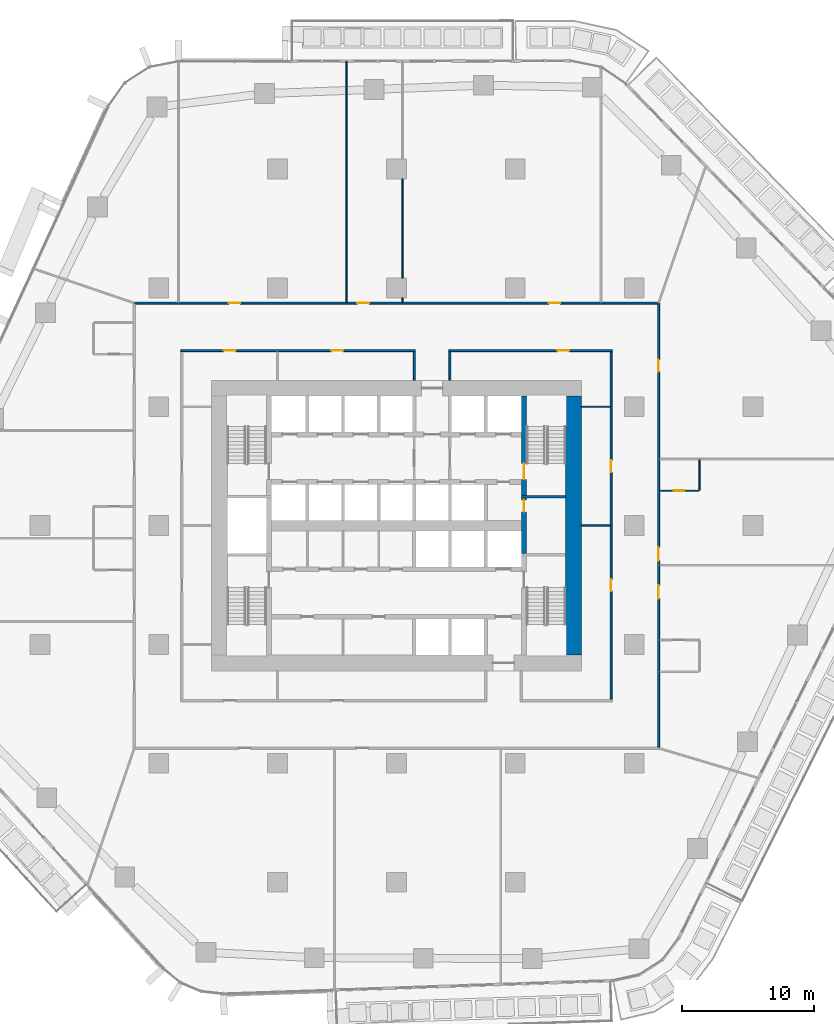
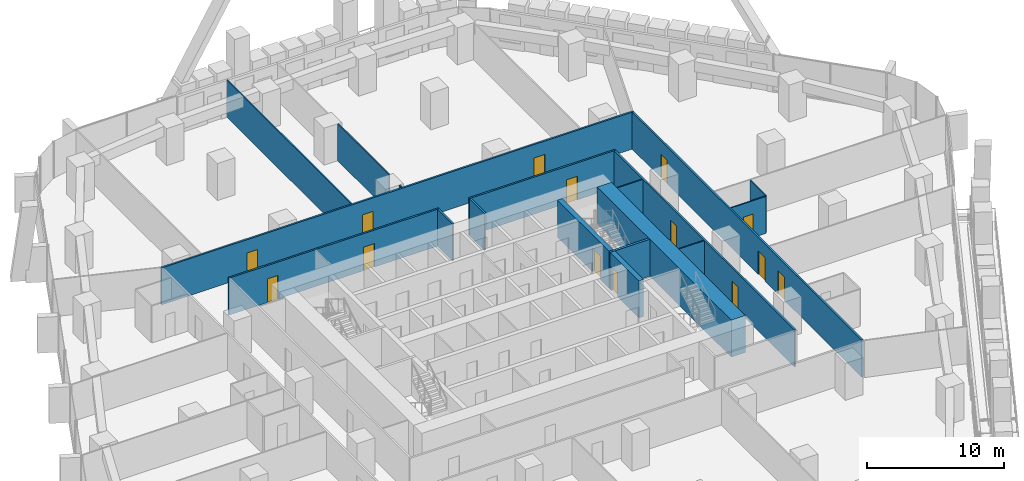
# One storey, part 16 of 26: 18 walls, 14 doors, 14 openings.
"""IFC4 building model written with IfcOpenShell, lengths in metres."""

from ifc_helpers import new_model, si_unit, direction, frame, frame_2d, origin, place, context, subcontext, project, spatial, rectangle, extrude, material, layer, layer_set, type_object, element, fill, save


model = new_model("IFC4")

# Units and contexts
model_context = context("Model", 3, precision=1e-05, world=origin(), true_north=direction((0.0, 1.0)))
body_context = subcontext(model_context, "Body", "Model", "MODEL_VIEW")
ifc_project = project(units=[si_unit("LENGTHUNIT", "METRE"), si_unit("AREAUNIT", "SQUARE_METRE"), si_unit("VOLUMEUNIT", "CUBIC_METRE"), si_unit("PLANEANGLEUNIT", "RADIAN"), si_unit("MASSUNIT", "GRAM", prefix="KILO")], contexts=[model_context])

# Site, building, storey
site_placement = place(None, origin())
site = spatial("IfcSite", under=ifc_project, at=site_placement, CompositionType="ELEMENT")
building_placement = place(site_placement, origin())
building = spatial("IfcBuilding", under=site, at=building_placement, Name="Dongbaek Canopy Tower", CompositionType="ELEMENT")
storey_placement = place(building_placement, frame((0.0, 0.0, 73.60009765625)))
storey = spatial("IfcBuildingStorey", under=building, at=storey_placement, Name="L14", CompositionType="ELEMENT", Elevation=73.60009765625)

# Wall
ifc_material_1 = material(Name="Concrete C60/75", Category="concrete")
ifc_layer_1 = layer(ifc_material_1, 1.199951171875)
ifc_layer_set_1 = layer_set([ifc_layer_1], Name="Core outer wall 1200 Concrete C60/75")
wall_type_1 = type_object("IfcWallType", Name="Core outer wall 1200 Concrete C60/75", PredefinedType="SHEAR", material=ifc_layer_set_1)
wall_1_placement = place(storey_placement, frame((13.39990234375, 9.800048828125, 0.0), z_axis=(0.0, 0.0, 1.0), x_axis=(0.0, -1.0, 0.0)))
element("IfcWall", 1, at=wall_1_placement, inside=storey, type_object=wall_type_1, Name="Core wall", PredefinedType="SHEAR", context=body_context, shape_type="SweptSolid", body=[
    extrude(rectangle(XDim=19.60009765625, YDim=1.199951171875, at=frame_2d((9.800048828125, 0.0))), origin(), (0.0, 0.0, 1.0), 3.2998046875),
])

# Wall, openings, doors
ifc_material_2 = material(Name="Gypsum board partition, steel stud, 2 x 15 mm fire board", Category="steel")
ifc_layer_2 = layer(ifc_material_2, 0.14990234375)
ifc_layer_set_2 = layer_set([ifc_layer_2], Name="Fire-rated partition 150 gypsum board")
wall_type_2 = type_object("IfcWallType", Name="Fire-rated partition 150 gypsum board", PredefinedType="PARTITIONING", material=ifc_layer_set_2)
wall_2_placement = place(storey_placement, frame((1.425048828125, 13.25, 0.0), z_axis=(0.0, 0.0, 1.0), x_axis=(-1.0, 0.0, 0.0)))
wall_2 = element("IfcWall", 2, at=wall_2_placement, inside=storey, type_object=wall_type_2, Name="Corridor partition", PredefinedType="PARTITIONING", context=body_context, shape_type="SweptSolid", body=[
    extrude(rectangle(XDim=17.75, YDim=0.14990234375, at=frame_2d((8.875, 0.0))), origin(), (0.0, 0.0, 1.0), 3.2998046875),
])
opening_1_placement = place(wall_2_placement, frame((5.47509765625, 0.0, 0.0)))
opening_1 = element("IfcOpeningElement", 3, at=opening_1_placement, cuts=wall_2, Name="Opening L14-D024", PredefinedType="OPENING", context=body_context, shape_type="SweptSolid", body=[
    extrude(rectangle(XDim=0.89990234375, YDim=2.10009765625, at=frame_2d((0.449951171875, 1.050048828125))), frame((0.0, 0.0849609375, 0.0), z_axis=(0.0, -1.0, 0.0), x_axis=(1.0, 0.0, 0.0)), (0.0, 0.0, 1.0), 0.169921875),
])
opening_2_placement = place(wall_2_placement, frame((13.60009765625, 0.0, 0.0)))
opening_2 = element("IfcOpeningElement", 4, at=opening_2_placement, cuts=wall_2, Name="Opening L14-D025", PredefinedType="OPENING", context=body_context, shape_type="SweptSolid", body=[
    extrude(rectangle(XDim=0.89990234375, YDim=2.10009765625, at=frame_2d((0.449951171875, 1.050048828125))), frame((0.0, 0.0849609375, 0.0), z_axis=(0.0, -1.0, 0.0), x_axis=(1.0, 0.0, 0.0)), (0.0, 0.0, 1.0), 0.169921875),
])
ifc_material_3 = material(Name="Timber veneered door leaf", Category="wood")
door_type_1 = type_object("IfcDoorType", Name="Room door 900 x 2100", OperationType="SINGLE_SWING_LEFT", PredefinedType="DOOR", material=ifc_material_3)
door_1_placement = place(opening_1_placement, origin())
door_1 = element("IfcDoor", 5, at=door_1_placement, inside=storey, type_object=door_type_1, Name="Door L14-D024", OperationType="SINGLE_SWING_RIGHT", OverallHeight=2.10009765625, OverallWidth=0.89990234375, PredefinedType="DOOR", context=body_context, shape_type="SweptSolid", body=[
    extrude(rectangle(XDim=0.89990234375, YDim=2.10009765625, at=frame_2d((0.449951171875, 1.050048828125))), frame((0.0, 0.02490234375, 0.0), z_axis=(0.0, -1.0, 0.0), x_axis=(1.0, 0.0, 0.0)), (0.0, 0.0, 1.0), 0.050048828125),
])
fill(opening_1, door_1)
door_2_placement = place(opening_2_placement, origin())
door_2 = element("IfcDoor", 6, at=door_2_placement, inside=storey, type_object=door_type_1, Name="Door L14-D025", OperationType="SINGLE_SWING_LEFT", OverallHeight=2.10009765625, OverallWidth=0.89990234375, PredefinedType="DOOR", context=body_context, shape_type="SweptSolid", body=[
    extrude(rectangle(XDim=0.89990234375, YDim=2.10009765625, at=frame_2d((0.449951171875, 1.050048828125))), frame((0.0, 0.02490234375, 0.0), z_axis=(0.0, -1.0, 0.0), x_axis=(1.0, 0.0, 0.0)), (0.0, 0.0, 1.0), 0.050048828125),
])
fill(opening_2, door_2)

# Wall, opening, door
wall_3_placement = place(storey_placement, frame((16.324951171875, 13.25, 0.0), z_axis=(0.0, 0.0, 1.0), x_axis=(-1.0, 0.0, 0.0)))
wall_3 = element("IfcWall", 7, at=wall_3_placement, inside=storey, type_object=wall_type_2, Name="Corridor partition", PredefinedType="PARTITIONING", context=body_context, shape_type="SweptSolid", body=[
    extrude(rectangle(XDim=12.349853515625, YDim=0.14990234375, at=frame_2d((6.1748046875, 0.0))), origin(), (0.0, 0.0, 1.0), 3.2998046875),
])
opening_3_placement = place(wall_3_placement, frame((3.25, 0.0, 0.0)))
opening_3 = element("IfcOpeningElement", 8, at=opening_3_placement, cuts=wall_3, Name="Opening L14-D023", PredefinedType="OPENING", context=body_context, shape_type="SweptSolid", body=[
    extrude(rectangle(XDim=0.89990234375, YDim=2.10009765625, at=frame_2d((0.449951171875, 1.050048828125))), frame((0.0, 0.0849609375, 0.0), z_axis=(0.0, -1.0, 0.0), x_axis=(1.0, 0.0, 0.0)), (0.0, 0.0, 1.0), 0.169921875),
])
door_3_placement = place(opening_3_placement, origin())
door_3 = element("IfcDoor", 9, at=door_3_placement, inside=storey, type_object=door_type_1, Name="Door L14-D023", OperationType="SINGLE_SWING_LEFT", OverallHeight=2.10009765625, OverallWidth=0.89990234375, PredefinedType="DOOR", context=body_context, shape_type="SweptSolid", body=[
    extrude(rectangle(XDim=0.89990234375, YDim=2.10009765625, at=frame_2d((0.449951171875, 1.050048828125))), frame((0.0, 0.02490234375, 0.0), z_axis=(0.0, -1.0, 0.0), x_axis=(1.0, 0.0, 0.0)), (0.0, 0.0, 1.0), 0.050048828125),
])
fill(opening_3, door_3)

# Wall, openings, doors
wall_4_placement = place(storey_placement, frame((-19.925048828125, 16.85009765625, 0.0), z_axis=(0.0, 0.0, 1.0), x_axis=(1.0, 0.0, 0.0)))
wall_4 = element("IfcWall", 10, at=wall_4_placement, inside=storey, type_object=wall_type_2, Name="Corridor partition", PredefinedType="PARTITIONING", context=body_context, shape_type="SweptSolid", body=[
    extrude(rectangle(XDim=39.85009765625, YDim=0.14990234375, at=frame_2d((19.925048828125, 0.0))), origin(), (0.0, 0.0, 1.0), 3.2998046875),
])
opening_4_placement = place(wall_4_placement, frame((31.436279296875, 0.0, 0.0)))
opening_4 = element("IfcOpeningElement", 11, at=opening_4_placement, cuts=wall_4, Name="Opening L14-D011", PredefinedType="OPENING", context=body_context, shape_type="SweptSolid", body=[
    extrude(rectangle(XDim=0.89990234375, YDim=2.10009765625, at=frame_2d((0.449951171875, 1.050048828125))), frame((0.0, 0.0849609375, 0.0), z_axis=(0.0, -1.0, 0.0), x_axis=(1.0, 0.0, 0.0)), (0.0, 0.0, 1.0), 0.169921875),
])
opening_5_placement = place(wall_4_placement, frame((16.9541015625, 0.0, 0.0)))
opening_5 = element("IfcOpeningElement", 12, at=opening_5_placement, cuts=wall_4, Name="Opening L14-D012", PredefinedType="OPENING", context=body_context, shape_type="SweptSolid", body=[
    extrude(rectangle(XDim=0.89990234375, YDim=2.10009765625, at=frame_2d((0.449951171875, 1.050048828125))), frame((0.0, 0.0849609375, 0.0), z_axis=(0.0, -1.0, 0.0), x_axis=(1.0, 0.0, 0.0)), (0.0, 0.0, 1.0), 0.169921875),
])
opening_6_placement = place(wall_4_placement, frame((7.20849609375, 0.0, 0.0)))
opening_6 = element("IfcOpeningElement", 13, at=opening_6_placement, cuts=wall_4, Name="Opening L14-D013", PredefinedType="OPENING", context=body_context, shape_type="SweptSolid", body=[
    extrude(rectangle(XDim=0.89990234375, YDim=2.10009765625, at=frame_2d((0.449951171875, 1.050048828125))), frame((0.0, 0.0849609375, 0.0), z_axis=(0.0, -1.0, 0.0), x_axis=(1.0, 0.0, 0.0)), (0.0, 0.0, 1.0), 0.169921875),
])
door_4_placement = place(opening_4_placement, origin())
door_4 = element("IfcDoor", 14, at=door_4_placement, inside=storey, type_object=door_type_1, Name="Door L14-D011", OperationType="SINGLE_SWING_RIGHT", OverallHeight=2.10009765625, OverallWidth=0.89990234375, PredefinedType="DOOR", context=body_context, shape_type="SweptSolid", body=[
    extrude(rectangle(XDim=0.89990234375, YDim=2.10009765625, at=frame_2d((0.449951171875, 1.050048828125))), frame((0.0, 0.02490234375, 0.0), z_axis=(0.0, -1.0, 0.0), x_axis=(1.0, 0.0, 0.0)), (0.0, 0.0, 1.0), 0.050048828125),
])
fill(opening_4, door_4)
door_5_placement = place(opening_5_placement, origin())
door_5 = element("IfcDoor", 15, at=door_5_placement, inside=storey, type_object=door_type_1, Name="Door L14-D012", OperationType="SINGLE_SWING_LEFT", OverallHeight=2.10009765625, OverallWidth=0.89990234375, PredefinedType="DOOR", context=body_context, shape_type="SweptSolid", body=[
    extrude(rectangle(XDim=0.89990234375, YDim=2.10009765625, at=frame_2d((0.449951171875, 1.050048828125))), frame((0.0, 0.02490234375, 0.0), z_axis=(0.0, -1.0, 0.0), x_axis=(1.0, 0.0, 0.0)), (0.0, 0.0, 1.0), 0.050048828125),
])
fill(opening_5, door_5)
door_6_placement = place(opening_6_placement, origin())
door_6 = element("IfcDoor", 16, at=door_6_placement, inside=storey, type_object=door_type_1, Name="Door L14-D013", OperationType="SINGLE_SWING_RIGHT", OverallHeight=2.10009765625, OverallWidth=0.89990234375, PredefinedType="DOOR", context=body_context, shape_type="SweptSolid", body=[
    extrude(rectangle(XDim=0.89990234375, YDim=2.10009765625, at=frame_2d((0.449951171875, 1.050048828125))), frame((0.0, 0.02490234375, 0.0), z_axis=(0.0, -1.0, 0.0), x_axis=(1.0, 0.0, 0.0)), (0.0, 0.0, 1.0), 0.050048828125),
])
fill(opening_6, door_6)

wall_5_placement = place(storey_placement, frame((19.85009765625, 16.77490234375, 0.0), z_axis=(0.0, 0.0, 1.0), x_axis=(0.0, -1.0, 0.0)))
wall_5 = element("IfcWall", 17, at=wall_5_placement, inside=storey, type_object=wall_type_2, Name="Corridor partition", PredefinedType="PARTITIONING", context=body_context, shape_type="SweptSolid", body=[
    extrude(rectangle(XDim=33.5498046875, YDim=0.14990234375, at=frame_2d((16.77490234375, 0.0))), origin(), (0.0, 0.0, 1.0), 3.2998046875),
])
opening_7_placement = place(wall_5_placement, frame((21.29345703125, 0.0, 0.0)))
opening_7 = element("IfcOpeningElement", 18, at=opening_7_placement, cuts=wall_5, Name="Opening L14-D007", PredefinedType="OPENING", context=body_context, shape_type="SweptSolid", body=[
    extrude(rectangle(XDim=1.0, YDim=2.10009765625, at=frame_2d((0.5, 1.050048828125))), frame((0.0, 0.0849609375, 0.0), z_axis=(0.0, -1.0, 0.0), x_axis=(1.0, 0.0, 0.0)), (0.0, 0.0, 1.0), 0.169921875),
])
opening_8_placement = place(wall_5_placement, frame((18.426513671875, 0.0, 0.0)))
opening_8 = element("IfcOpeningElement", 19, at=opening_8_placement, cuts=wall_5, Name="Opening L14-D009", PredefinedType="OPENING", context=body_context, shape_type="SweptSolid", body=[
    extrude(rectangle(XDim=1.0, YDim=2.10009765625, at=frame_2d((0.5, 1.050048828125))), frame((0.0, 0.0849609375, 0.0), z_axis=(0.0, -1.0, 0.0), x_axis=(1.0, 0.0, 0.0)), (0.0, 0.0, 1.0), 0.169921875),
])
opening_9_placement = place(wall_5_placement, frame((4.210693359375, 0.0, 0.0)))
opening_9 = element("IfcOpeningElement", 20, at=opening_9_placement, cuts=wall_5, Name="Opening L14-D010", PredefinedType="OPENING", context=body_context, shape_type="SweptSolid", body=[
    extrude(rectangle(XDim=0.89990234375, YDim=2.10009765625, at=frame_2d((0.449951171875, 1.050048828125))), frame((0.0, 0.0849609375, 0.0), z_axis=(0.0, -1.0, 0.0), x_axis=(1.0, 0.0, 0.0)), (0.0, 0.0, 1.0), 0.169921875),
])
ifc_material_4 = material(Name="Timber veneered door leaf", Category="wood")
door_type_2 = type_object("IfcDoorType", Name="Guest room door 1000 x 2100", OperationType="SINGLE_SWING_LEFT", PredefinedType="DOOR", material=ifc_material_4)
door_7_placement = place(opening_7_placement, origin())
door_7 = element("IfcDoor", 21, at=door_7_placement, inside=storey, type_object=door_type_2, Name="Door L14-D007", OperationType="SINGLE_SWING_RIGHT", OverallHeight=2.10009765625, OverallWidth=1.0, PredefinedType="DOOR", context=body_context, shape_type="SweptSolid", body=[
    extrude(rectangle(XDim=1.0, YDim=2.10009765625, at=frame_2d((0.5, 1.050048828125))), frame((0.0, 0.02490234375, 0.0), z_axis=(0.0, -1.0, 0.0), x_axis=(1.0, 0.0, 0.0)), (0.0, 0.0, 1.0), 0.050048828125),
])
fill(opening_7, door_7)
door_8_placement = place(opening_8_placement, origin())
door_8 = element("IfcDoor", 22, at=door_8_placement, inside=storey, type_object=door_type_2, Name="Door L14-D009", OperationType="SINGLE_SWING_LEFT", OverallHeight=2.10009765625, OverallWidth=1.0, PredefinedType="DOOR", context=body_context, shape_type="SweptSolid", body=[
    extrude(rectangle(XDim=1.0, YDim=2.10009765625, at=frame_2d((0.5, 1.050048828125))), frame((0.0, 0.02490234375, 0.0), z_axis=(0.0, -1.0, 0.0), x_axis=(1.0, 0.0, 0.0)), (0.0, 0.0, 1.0), 0.050048828125),
])
fill(opening_8, door_8)
door_9_placement = place(opening_9_placement, origin())
door_9 = element("IfcDoor", 23, at=door_9_placement, inside=storey, type_object=door_type_1, Name="Door L14-D010", OperationType="SINGLE_SWING_RIGHT", OverallHeight=2.10009765625, OverallWidth=0.89990234375, PredefinedType="DOOR", context=body_context, shape_type="SweptSolid", body=[
    extrude(rectangle(XDim=0.89990234375, YDim=2.10009765625, at=frame_2d((0.449951171875, 1.050048828125))), frame((0.0, 0.02490234375, 0.0), z_axis=(0.0, -1.0, 0.0), x_axis=(1.0, 0.0, 0.0)), (0.0, 0.0, 1.0), 0.050048828125),
])
fill(opening_9, door_9)

wall_6_placement = place(storey_placement, frame((16.25, -13.175048828125, 0.0), z_axis=(0.0, 0.0, 1.0), x_axis=(0.0, 1.0, 0.0)))
wall_6 = element("IfcWall", 24, at=wall_6_placement, inside=storey, type_object=wall_type_2, Name="Corridor partition", PredefinedType="PARTITIONING", context=body_context, shape_type="SweptSolid", body=[
    extrude(rectangle(XDim=26.35009765625, YDim=0.14990234375, at=frame_2d((13.175048828125, 0.0))), origin(), (0.0, 0.0, 1.0), 3.2998046875),
])
opening_10_placement = place(wall_6_placement, frame((8.22509765625, 0.0, 0.0)))
opening_10 = element("IfcOpeningElement", 25, at=opening_10_placement, cuts=wall_6, Name="Opening L14-D021", PredefinedType="OPENING", context=body_context, shape_type="SweptSolid", body=[
    extrude(rectangle(XDim=0.89990234375, YDim=2.10009765625, at=frame_2d((0.449951171875, 1.050048828125))), frame((0.0, 0.0849609375, 0.0), z_axis=(0.0, -1.0, 0.0), x_axis=(1.0, 0.0, 0.0)), (0.0, 0.0, 1.0), 0.169921875),
])
opening_11_placement = place(wall_6_placement, frame((17.22509765625, 0.0, 0.0)))
opening_11 = element("IfcOpeningElement", 26, at=opening_11_placement, cuts=wall_6, Name="Opening L14-D022", PredefinedType="OPENING", context=body_context, shape_type="SweptSolid", body=[
    extrude(rectangle(XDim=0.89990234375, YDim=2.10009765625, at=frame_2d((0.449951171875, 1.050048828125))), frame((0.0, 0.0849609375, 0.0), z_axis=(0.0, -1.0, 0.0), x_axis=(1.0, 0.0, 0.0)), (0.0, 0.0, 1.0), 0.169921875),
])
door_10_placement = place(opening_10_placement, origin())
door_10 = element("IfcDoor", 27, at=door_10_placement, inside=storey, type_object=door_type_1, Name="Door L14-D021", OperationType="SINGLE_SWING_LEFT", OverallHeight=2.10009765625, OverallWidth=0.89990234375, PredefinedType="DOOR", context=body_context, shape_type="SweptSolid", body=[
    extrude(rectangle(XDim=0.89990234375, YDim=2.10009765625, at=frame_2d((0.449951171875, 1.050048828125))), frame((0.0, 0.02490234375, 0.0), z_axis=(0.0, -1.0, 0.0), x_axis=(1.0, 0.0, 0.0)), (0.0, 0.0, 1.0), 0.050048828125),
])
fill(opening_10, door_10)
door_11_placement = place(opening_11_placement, origin())
door_11 = element("IfcDoor", 28, at=door_11_placement, inside=storey, type_object=door_type_1, Name="Door L14-D022", OperationType="SINGLE_SWING_RIGHT", OverallHeight=2.10009765625, OverallWidth=0.89990234375, PredefinedType="DOOR", context=body_context, shape_type="SweptSolid", body=[
    extrude(rectangle(XDim=0.89990234375, YDim=2.10009765625, at=frame_2d((0.449951171875, 1.050048828125))), frame((0.0, 0.02490234375, 0.0), z_axis=(0.0, -1.0, 0.0), x_axis=(1.0, 0.0, 0.0)), (0.0, 0.0, 1.0), 0.050048828125),
])
fill(opening_11, door_11)

# Walls
for number, where, z_axis, x_axis, name in (
    (29, (4.050048828125, 11.0, 0.0), (0.0, 0.0, 1.0), (0.0, 1.0, 0.0), "Corridor partition"),
    (30, (1.35009765625, 11.0, 0.0), (0.0, 0.0, 1.0), (0.0, 1.0, 0.0), "Corridor partition"),
):
    element("IfcWall", number, at=place(storey_placement, frame(where, z_axis=z_axis, x_axis=x_axis)), inside=storey, type_object=wall_type_2, Name=name, PredefinedType="PARTITIONING", context=body_context, shape_type="SweptSolid", body=[
        extrude(rectangle(XDim=2.175048828125, YDim=0.14990234375, at=frame_2d((1.08740234375, 0.0))), origin(), (0.0, 0.0, 1.0), 3.2998046875),
    ])
ifc_material_5 = material(Name="Gypsum board partition, steel stud, 2 x 12.5 mm board", Category="steel")
ifc_layer_3 = layer(ifc_material_5, 0.10009765625)
ifc_layer_set_3 = layer_set([ifc_layer_3], Name="Partition 100 gypsum board")
wall_type_3 = type_object("IfcWallType", Name="Partition 100 gypsum board", PredefinedType="PARTITIONING", material=ifc_layer_set_3)
wall_7_placement = place(storey_placement, frame((14.0, 0.0, 0.0), z_axis=(0.0, 0.0, 1.0), x_axis=(1.0, 0.0, 0.0)))
element("IfcWall", 31, at=wall_7_placement, inside=storey, type_object=wall_type_3, Name="Partition", PredefinedType="PARTITIONING", context=body_context, shape_type="SweptSolid", body=[
    extrude(rectangle(XDim=2.175048828125, YDim=0.10009765625, at=frame_2d((1.08740234375, 0.0))), origin(), (0.0, 0.0, 1.0), 3.2998046875),
])

# Wall, opening, door
wall_8_placement = place(storey_placement, frame((19.925048828125, 2.638916015625, 0.0), z_axis=(0.0, 0.0, 1.0), x_axis=(1.0, 0.0, 0.0)))
wall_8 = element("IfcWall", 32, at=wall_8_placement, inside=storey, type_object=wall_type_3, Name="Partition", PredefinedType="PARTITIONING", context=body_context, shape_type="SweptSolid", body=[
    extrude(rectangle(XDim=2.974853515625, YDim=0.10009765625, at=frame_2d((1.4873046875, 0.0))), origin(), (0.0, 0.0, 1.0), 3.2998046875),
])
opening_12_placement = place(wall_8_placement, frame((1.074951171875, 0.0, 0.0)))
opening_12 = element("IfcOpeningElement", 33, at=opening_12_placement, cuts=wall_8, Name="Opening L14-D008", PredefinedType="OPENING", context=body_context, shape_type="SweptSolid", body=[
    extrude(rectangle(XDim=0.800048828125, YDim=2.10009765625, at=frame_2d((0.39990234375, 1.050048828125))), frame((0.0, 0.06005859375, 0.0), z_axis=(0.0, -1.0, 0.0), x_axis=(1.0, 0.0, 0.0)), (0.0, 0.0, 1.0), 0.1201171875),
])
ifc_material_6 = material(Name="Timber veneered door leaf", Category="wood")
door_type_3 = type_object("IfcDoorType", Name="En-suite door 800 x 2100", OperationType="SINGLE_SWING_LEFT", PredefinedType="DOOR", material=ifc_material_6)
door_12_placement = place(opening_12_placement, origin())
door_12 = element("IfcDoor", 34, at=door_12_placement, inside=storey, type_object=door_type_3, Name="Door L14-D008", OperationType="SINGLE_SWING_RIGHT", OverallHeight=2.10009765625, OverallWidth=0.800048828125, PredefinedType="DOOR", context=body_context, shape_type="SweptSolid", body=[
    extrude(rectangle(XDim=0.800048828125, YDim=2.10009765625, at=frame_2d((0.39990234375, 1.050048828125))), frame((0.0, 0.02490234375, 0.0), z_axis=(0.0, -1.0, 0.0), x_axis=(1.0, 0.0, 0.0)), (0.0, 0.0, 1.0), 0.050048828125),
])
fill(opening_12, door_12)

# Walls
wall_9_placement = place(storey_placement, frame((14.0, 9.0, 0.0), z_axis=(0.0, 0.0, 1.0), x_axis=(1.0, 0.0, 0.0)))
element("IfcWall", 35, at=wall_9_placement, inside=storey, type_object=wall_type_3, Name="Partition", PredefinedType="PARTITIONING", context=body_context, shape_type="SweptSolid", body=[
    extrude(rectangle(XDim=2.175048828125, YDim=0.10009765625, at=frame_2d((1.08740234375, 0.0))), origin(), (0.0, 0.0, 1.0), 3.2998046875),
])
wall_10_placement = place(storey_placement, frame((22.949951171875, 2.68896484375, 0.0), z_axis=(0.0, 0.0, 1.0), x_axis=(0.0, 1.0, 0.0)))
element("IfcWall", 36, at=wall_10_placement, inside=storey, type_object=wall_type_3, Name="Partition", PredefinedType="PARTITIONING", context=body_context, shape_type="SweptSolid", body=[
    extrude(rectangle(XDim=2.300048828125, YDim=0.10009765625, at=frame_2d((1.14990234375, 0.0))), origin(), (0.0, 0.0, 1.0), 3.2998046875),
])
wall_11_placement = place(storey_placement, frame((0.451904296875, 16.925048828125, 0.0), z_axis=(0.0, 0.0, 1.0), x_axis=(0.0, 1.0, 0.0)))
element("IfcWall", 37, at=wall_11_placement, inside=storey, type_object=wall_type_3, Name="Partition", PredefinedType="PARTITIONING", context=body_context, shape_type="SweptSolid", body=[
    extrude(rectangle(XDim=0.324951171875, YDim=0.10009765625, at=frame_2d((0.16259765625, 0.0))), origin(), (0.0, 0.0, 1.0), 3.2998046875),
])
wall_12_placement = place(storey_placement, frame((0.451904296875, 18.75, 0.0), z_axis=(0.0, 0.0, 1.0), x_axis=(0.0, 1.0, 0.0)))
element("IfcWall", 38, at=wall_12_placement, inside=storey, type_object=wall_type_3, Name="Partition", PredefinedType="PARTITIONING", context=body_context, shape_type="SweptSolid", body=[
    extrude(rectangle(XDim=7.5, YDim=0.10009765625, at=frame_2d((3.75, 0.0))), origin(), (0.0, 0.0, 1.0), 3.2998046875),
])
wall_13_placement = place(storey_placement, frame((-3.7890625, 16.925048828125, 0.0), z_axis=(0.0, 0.0, 1.0), x_axis=(0.0, 1.0, 0.0)))
element("IfcWall", 39, at=wall_13_placement, inside=storey, type_object=wall_type_3, Name="Partition", PredefinedType="PARTITIONING", context=body_context, shape_type="SweptSolid", body=[
    extrude(rectangle(XDim=18.226318359375, YDim=0.10009765625, at=frame_2d((9.11328125, 0.0))), origin(), (0.0, 0.0, 1.0), 3.2998046875),
])
ifc_material_7 = material(Name="Concrete C60/75", Category="concrete")
ifc_layer_4 = layer(ifc_material_7, 0.199951171875)
ifc_layer_set_4 = layer_set([ifc_layer_4], Name="Riser wall 200 Concrete C60/75")
wall_type_4 = type_object("IfcWallType", Name="Riser wall 200 Concrete C60/75", PredefinedType="SHEAR", material=ifc_layer_set_4)
wall_14_placement = place(storey_placement, frame((9.449951171875, 2.199951171875, 0.0), z_axis=(0.0, 0.0, 1.0), x_axis=(1.0, 0.0, 0.0)))
element("IfcWall", 40, at=wall_14_placement, inside=storey, type_object=wall_type_4, Name="Riser wall", PredefinedType="SHEAR", context=body_context, shape_type="SweptSolid", body=[
    extrude(rectangle(XDim=3.35009765625, YDim=0.199951171875, at=frame_2d((1.675048828125, 0.0))), origin(), (0.0, 0.0, 1.0), 3.2998046875),
])

# Wall, opening, door
ifc_material_8 = material(Name="Concrete C60/75", Category="concrete")
ifc_layer_5 = layer(ifc_material_8, 0.39990234375)
ifc_layer_set_5 = layer_set([ifc_layer_5], Name="Stair wall 400 Concrete C60/75")
wall_type_5 = type_object("IfcWallType", Name="Stair wall 400 Concrete C60/75", PredefinedType="SHEAR", material=ifc_layer_set_5)
wall_15_placement = place(storey_placement, frame((9.64990234375, 2.10009765625, 0.0), z_axis=(0.0, 0.0, 1.0), x_axis=(0.0, -1.0, 0.0)))
wall_15 = element("IfcWall", 41, at=wall_15_placement, inside=storey, type_object=wall_type_5, Name="Stair wall", PredefinedType="SHEAR", context=body_context, shape_type="SweptSolid", body=[
    extrude(rectangle(XDim=4.2001953125, YDim=0.39990234375, at=frame_2d((2.10009765625, 0.0))), origin(), (0.0, 0.0, 1.0), 3.2998046875),
])
opening_13_placement = place(wall_15_placement, frame((0.14990234375, 0.0, 0.0)))
opening_13 = element("IfcOpeningElement", 42, at=opening_13_placement, cuts=wall_15, Name="Opening L14-D027", PredefinedType="OPENING", context=body_context, shape_type="SweptSolid", body=[
    extrude(rectangle(XDim=0.89990234375, YDim=2.10009765625, at=frame_2d((0.449951171875, 1.050048828125))), frame((0.0, 0.2099609375, 0.0), z_axis=(0.0, -1.0, 0.0), x_axis=(1.0, 0.0, 0.0)), (0.0, 0.0, 1.0), 0.419921875),
])
ifc_material_9 = material(Name="Steel", Category="steel")
door_type_4 = type_object("IfcDoorType", Name="Core room door 900 x 2100", OperationType="SINGLE_SWING_LEFT", PredefinedType="DOOR", material=ifc_material_9)
door_13_placement = place(opening_13_placement, origin())
door_13 = element("IfcDoor", 43, at=door_13_placement, inside=storey, type_object=door_type_4, Name="Door L14-D027", OperationType="SINGLE_SWING_RIGHT", OverallHeight=2.10009765625, OverallWidth=0.89990234375, PredefinedType="DOOR", context=body_context, shape_type="SweptSolid", body=[
    extrude(rectangle(XDim=0.89990234375, YDim=2.10009765625, at=frame_2d((0.449951171875, 1.050048828125))), frame((0.0, 0.02490234375, 0.0), z_axis=(0.0, -1.0, 0.0), x_axis=(1.0, 0.0, 0.0)), (0.0, 0.0, 1.0), 0.050048828125),
])
fill(opening_13, door_13)

wall_16_placement = place(storey_placement, frame((9.64990234375, 9.800048828125, 0.0), z_axis=(0.0, 0.0, 1.0), x_axis=(0.0, -1.0, 0.0)))
wall_16 = element("IfcWall", 44, at=wall_16_placement, inside=storey, type_object=wall_type_5, Name="Stair wall", PredefinedType="SHEAR", context=body_context, shape_type="SweptSolid", body=[
    extrude(rectangle(XDim=7.5, YDim=0.39990234375, at=frame_2d((3.75, 0.0))), origin(), (0.0, 0.0, 1.0), 3.2998046875),
])
opening_14_placement = place(wall_16_placement, frame((5.10009765625, 0.0, 0.0)))
opening_14 = element("IfcOpeningElement", 45, at=opening_14_placement, cuts=wall_16, Name="Opening L14-D052", PredefinedType="OPENING", context=body_context, shape_type="SweptSolid", body=[
    extrude(rectangle(XDim=1.199951171875, YDim=2.10009765625, at=frame_2d((0.60009765625, 1.050048828125))), frame((0.0, 0.2099609375, 0.0), z_axis=(0.0, -1.0, 0.0), x_axis=(1.0, 0.0, 0.0)), (0.0, 0.0, 1.0), 0.419921875),
])
ifc_material_10 = material(Name="Steel", Category="steel")
door_type_5 = type_object("IfcDoorType", Name="Stair door 1200 x 2100", OperationType="SINGLE_SWING_LEFT", PredefinedType="DOOR", material=ifc_material_10)
door_14_placement = place(opening_14_placement, origin())
door_14 = element("IfcDoor", 46, at=door_14_placement, inside=storey, type_object=door_type_5, Name="Stair A door", OperationType="SINGLE_SWING_LEFT", OverallHeight=2.10009765625, OverallWidth=1.199951171875, PredefinedType="DOOR", context=body_context, shape_type="SweptSolid", body=[
    extrude(rectangle(XDim=1.199951171875, YDim=2.10009765625, at=frame_2d((0.60009765625, 1.050048828125))), frame((0.0, 0.02490234375, 0.0), z_axis=(0.0, -1.0, 0.0), x_axis=(1.0, 0.0, 0.0)), (0.0, 0.0, 1.0), 0.050048828125),
])
fill(opening_14, door_14)

save(model, "model.ifc")
